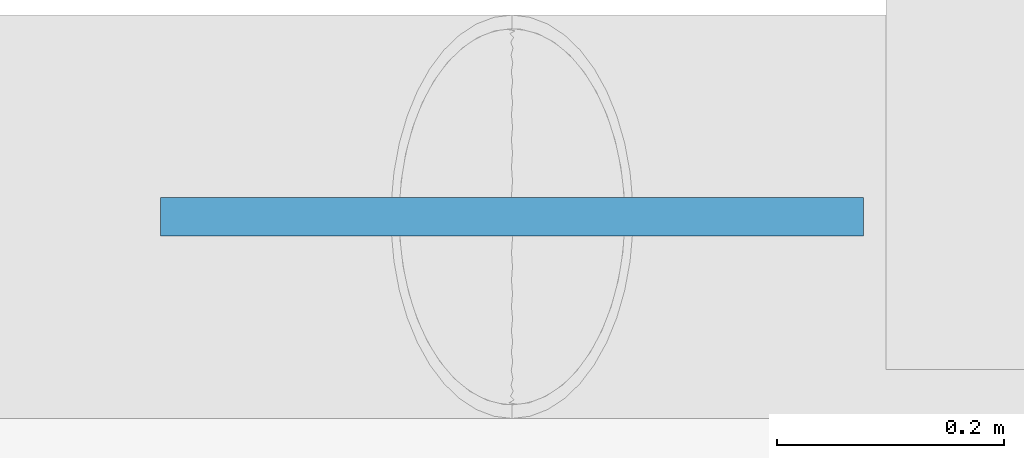
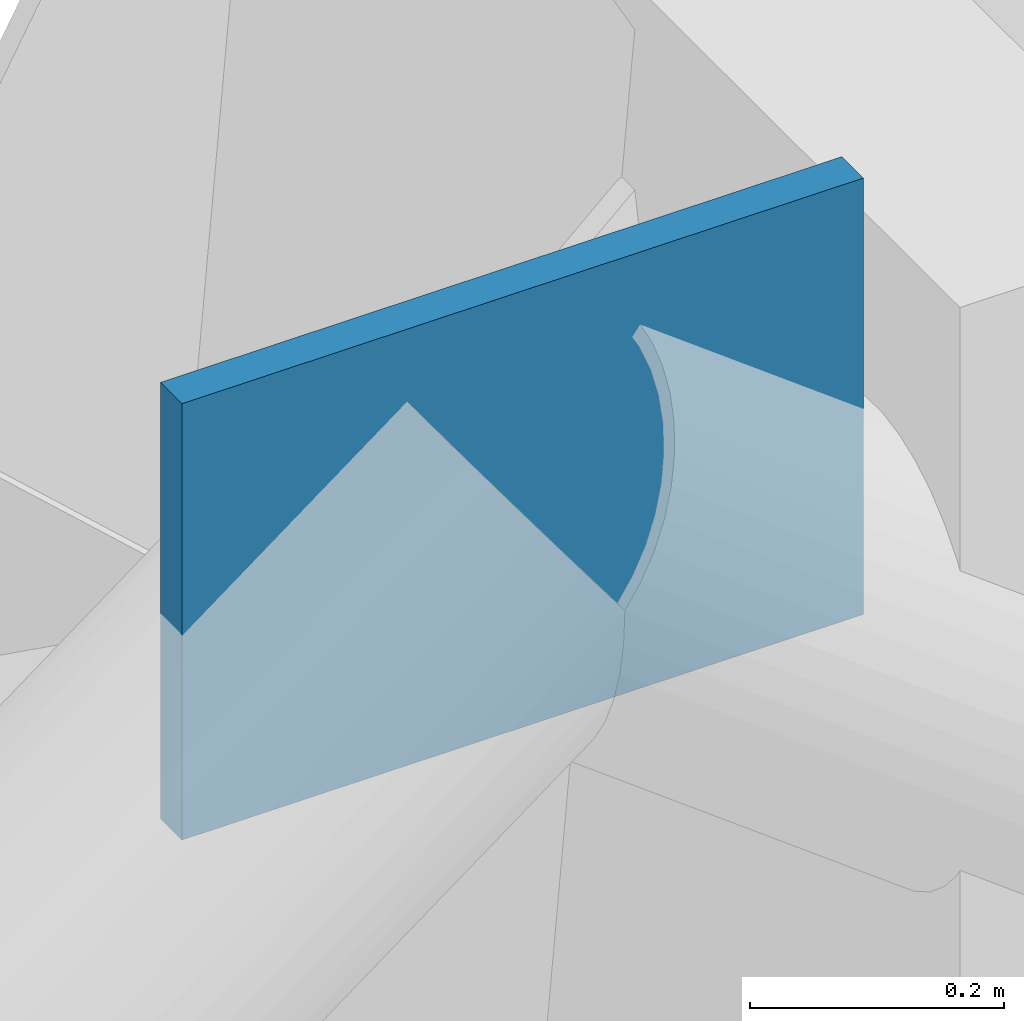
# One storey, part 72 of 123: 1 plate.
"""IFC4 building model written with IfcOpenShell, lengths in metres."""

from ifc_helpers import new_model, si_unit, derived_unit, direction, frame, origin, origin_2d, place, context, subcontext, project, spatial, rectangle, extrude, material, layer, layer_set, type_object, element, save


model = new_model("IFC4")

# Units and contexts
model_context = context("Model", 3, precision=1e-05, world=origin(), true_north=direction((0.0, 1.0)))
body_context = subcontext(model_context, "Body", "Model", "MODEL_VIEW")
ifc_project = project(units=[si_unit("LENGTHUNIT", "METRE"), si_unit("AREAUNIT", "SQUARE_METRE"), si_unit("VOLUMEUNIT", "CUBIC_METRE"), si_unit("PLANEANGLEUNIT", "RADIAN"), si_unit("MASSUNIT", "GRAM", prefix="KILO"), si_unit("THERMODYNAMICTEMPERATUREUNIT", "KELVIN"), derived_unit("THERMALTRANSMITTANCEUNIT", [(si_unit("POWERUNIT", "WATT"), 1), (si_unit("AREAUNIT", "SQUARE_METRE"), -1), (si_unit("THERMODYNAMICTEMPERATUREUNIT", "KELVIN"), -1)])], contexts=[model_context])

# Site, building, storey
site_placement = place(None, origin())
site = spatial("IfcSite", under=ifc_project, at=site_placement, CompositionType="ELEMENT")
building_placement = place(site_placement, origin())
building = spatial("IfcBuilding", under=site, at=building_placement, Name="Haiyu Intermodal Mobility Hub", CompositionType="ELEMENT")
storey_placement = place(building_placement, frame((0.0, 0.0, 5.60009765625)))
storey = spatial("IfcBuildingStorey", under=building, at=storey_placement, Name="L01", CompositionType="ELEMENT", Elevation=5.60009765625)

# Plate
ifc_material = material(Name="Steel Q355C", Category="steel")
ifc_layer = layer(ifc_material, 0.033935546875)
ifc_layer_set = layer_set([ifc_layer], Name="Steel Q355C")
plate_type = type_object("IfcPlateType", Name="PLT-GP04", PredefinedType="USERDEFINED", material=ifc_layer_set)
plate_placement = place(storey_placement, frame((142.0, 148.0, 2.7900390625), z_axis=(0.0, 0.0, 1.0), x_axis=(1.0, 0.0, 0.0)))
element("IfcPlate", 1, at=plate_placement, inside=storey, type_object=plate_type, Name="Chevron Brace Apex Gusset GP-B091", ObjectType="GUSSET PLATE", PredefinedType="USERDEFINED", context=body_context, shape_type="SweptSolid", body=[
    extrude(rectangle(XDim=0.6201171875, YDim=0.033935546875, at=origin_2d()), origin(), (0.0, 0.0, 1.0), 0.419921875),
])

save(model, "model.ifc")
